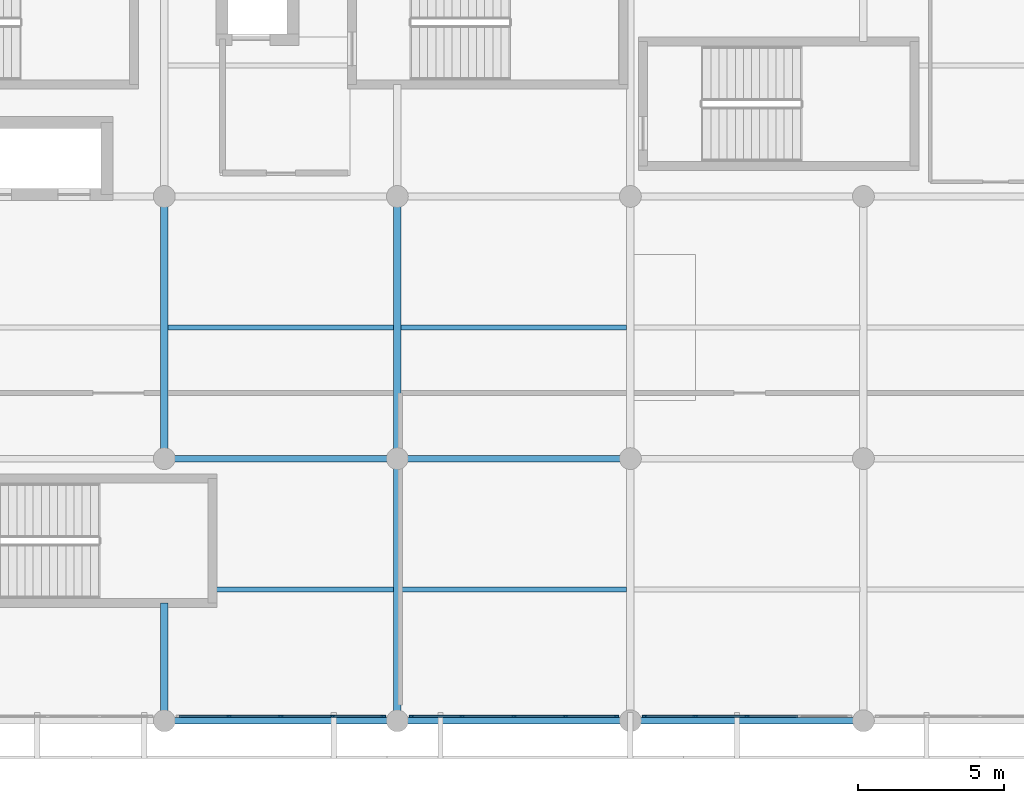
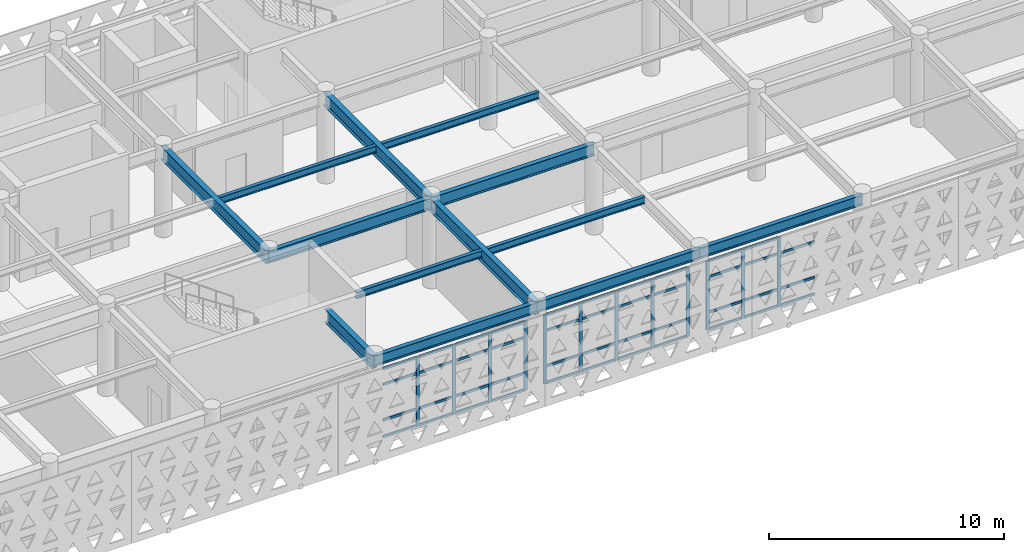
# One storey, part 7 of 33: 55 members, 13 beams, 3 elements without a shape of their own.
"""IFC4 building model written with IfcOpenShell, lengths in metres."""

from ifc_helpers import new_model, si_unit, direction, frame, origin, origin_2d, place, context, subcontext, project, spatial, rectangle, i_section, extrude, material, layer, layer_set, material_profile, profile_set, type_object, element, aggregate, save


model = new_model("IFC4")

# Units and contexts
model_context = context("Model", 3, precision=1e-05, world=origin(), true_north=direction((0.0, 1.0)))
body_context = subcontext(model_context, "Body", "Model", "MODEL_VIEW")
ifc_project = project(units=[si_unit("LENGTHUNIT", "METRE"), si_unit("AREAUNIT", "SQUARE_METRE"), si_unit("VOLUMEUNIT", "CUBIC_METRE"), si_unit("PLANEANGLEUNIT", "RADIAN"), si_unit("MASSUNIT", "GRAM", prefix="KILO")], contexts=[model_context])

# Site, building, storey
site_placement = place(None, origin())
site = spatial("IfcSite", under=ifc_project, at=site_placement, CompositionType="ELEMENT")
building_placement = place(site_placement, origin())
building = spatial("IfcBuilding", under=site, at=building_placement, Name="Tlacozan Convention Centre", CompositionType="ELEMENT")
storey_placement = place(building_placement, frame((0.0, 0.0, 16.199951171875)))
storey = spatial("IfcBuildingStorey", under=building, at=storey_placement, Name="L03", CompositionType="ELEMENT", Elevation=16.199951171875)

# Curtain wall, members
ifc_material_1 = material(Name="Dark Bronze Anodised Aluminium", Category="aluminium")
ifc_layer = layer(ifc_material_1, 0.159912109375)
ifc_layer_set = layer_set([ifc_layer], Name="Dark Bronze Anodised Aluminium")
curtain_wall_type = type_object("IfcCurtainWallType", Name="Unitised Congress L03 South CW04", PredefinedType="NOTDEFINED", material=ifc_layer_set)
curtain_wall_1_placement = place(storey_placement, origin())
curtain_wall_1 = element("IfcCurtainWall", 1, at=curtain_wall_1_placement, inside=storey, type_object=curtain_wall_type, Name="L03 CW-04 Run 104", PredefinedType="NOTDEFINED")
ifc_material_profile_1 = material_profile(ifc_material_1, rectangle(XDim=0.06494140625, YDim=0.159912109375, at=origin_2d()), Name="ALU 65x160")
ifc_profile_set_1 = profile_set([ifc_material_profile_1], Name="Dark Bronze Anodised Aluminium")
member_type_1 = type_object("IfcMemberType", Name="Curtain Wall Mullion 65x160", PredefinedType="MULLION", material=ifc_profile_set_1)
member_1_placement = place(storey_placement, frame((34.22509765625, 0.159912109375, 0.0), z_axis=(0.0, 0.0, 1.0), x_axis=(0.0, 1.0, 0.0)))
member_1 = element("IfcMember", 2, at=member_1_placement, type_object=member_type_1, Name="CW-04 mullion 2", PredefinedType="MULLION", context=body_context, shape_type="SweptSolid", body=[
    extrude(rectangle(XDim=0.06494140625, YDim=0.159912109375, at=origin_2d()), origin(), (0.0, 0.0, 1.0), 3.60009765625),
])
member_2_placement = place(storey_placement, frame((36.0, 0.159912109375, 0.0), z_axis=(0.0, 0.0, 1.0), x_axis=(0.0, 1.0, 0.0)))
member_2 = element("IfcMember", 3, at=member_2_placement, type_object=member_type_1, Name="CW-04 mullion 3", PredefinedType="MULLION", context=body_context, shape_type="SweptSolid", body=[
    extrude(rectangle(XDim=0.06494140625, YDim=0.159912109375, at=origin_2d()), origin(), (0.0, 0.0, 1.0), 3.60009765625),
])
member_3_placement = place(storey_placement, frame((37.77490234375, 0.159912109375, 0.0), z_axis=(0.0, 0.0, 1.0), x_axis=(0.0, 1.0, 0.0)))
member_3 = element("IfcMember", 4, at=member_3_placement, type_object=member_type_1, Name="CW-04 mullion 4", PredefinedType="MULLION", context=body_context, shape_type="SweptSolid", body=[
    extrude(rectangle(XDim=0.06494140625, YDim=0.159912109375, at=origin_2d()), origin(), (0.0, 0.0, 1.0), 3.60009765625),
])
member_4_placement = place(storey_placement, frame((39.517578125, 0.159912109375, 0.0), z_axis=(0.0, 0.0, 1.0), x_axis=(0.0, 1.0, 0.0)))
member_4 = element("IfcMember", 5, at=member_4_placement, type_object=member_type_1, Name="CW-04 mullion 5", PredefinedType="MULLION", context=body_context, shape_type="SweptSolid", body=[
    extrude(rectangle(XDim=0.06494140625, YDim=0.159912109375, at=origin_2d()), origin(), (0.0, 0.0, 1.0), 3.60009765625),
])

curtain_wall_2_placement = place(storey_placement, origin())
curtain_wall_2 = element("IfcCurtainWall", 6, at=curtain_wall_2_placement, inside=storey, type_object=curtain_wall_type, Name="L03 CW-04 Run 105", PredefinedType="NOTDEFINED")
member_5_placement = place(storey_placement, frame((40.482421875, 0.159912109375, 0.0), z_axis=(0.0, 0.0, 1.0), x_axis=(0.0, 1.0, 0.0)))
member_5 = element("IfcMember", 7, at=member_5_placement, type_object=member_type_1, Name="CW-04 mullion 1", PredefinedType="MULLION", context=body_context, shape_type="SweptSolid", body=[
    extrude(rectangle(XDim=0.06494140625, YDim=0.159912109375, at=origin_2d()), origin(), (0.0, 0.0, 1.0), 3.60009765625),
])
member_6_placement = place(storey_placement, frame((42.22509765625, 0.159912109375, 0.0), z_axis=(0.0, 0.0, 1.0), x_axis=(0.0, 1.0, 0.0)))
member_6 = element("IfcMember", 8, at=member_6_placement, type_object=member_type_1, Name="CW-04 mullion 2", PredefinedType="MULLION", context=body_context, shape_type="SweptSolid", body=[
    extrude(rectangle(XDim=0.06494140625, YDim=0.159912109375, at=origin_2d()), origin(), (0.0, 0.0, 1.0), 3.60009765625),
])
member_7_placement = place(storey_placement, frame((44.0, 0.159912109375, 0.0), z_axis=(0.0, 0.0, 1.0), x_axis=(0.0, 1.0, 0.0)))
member_7 = element("IfcMember", 9, at=member_7_placement, type_object=member_type_1, Name="CW-04 mullion 3", PredefinedType="MULLION", context=body_context, shape_type="SweptSolid", body=[
    extrude(rectangle(XDim=0.06494140625, YDim=0.159912109375, at=origin_2d()), origin(), (0.0, 0.0, 1.0), 3.60009765625),
])
member_8_placement = place(storey_placement, frame((45.77490234375, 0.159912109375, 0.0), z_axis=(0.0, 0.0, 1.0), x_axis=(0.0, 1.0, 0.0)))
member_8 = element("IfcMember", 10, at=member_8_placement, type_object=member_type_1, Name="CW-04 mullion 4", PredefinedType="MULLION", context=body_context, shape_type="SweptSolid", body=[
    extrude(rectangle(XDim=0.06494140625, YDim=0.159912109375, at=origin_2d()), origin(), (0.0, 0.0, 1.0), 3.60009765625),
])
member_9_placement = place(storey_placement, frame((47.517578125, 0.159912109375, 0.0), z_axis=(0.0, 0.0, 1.0), x_axis=(0.0, 1.0, 0.0)))
member_9 = element("IfcMember", 11, at=member_9_placement, type_object=member_type_1, Name="CW-04 mullion 5", PredefinedType="MULLION", context=body_context, shape_type="SweptSolid", body=[
    extrude(rectangle(XDim=0.06494140625, YDim=0.159912109375, at=origin_2d()), origin(), (0.0, 0.0, 1.0), 3.60009765625),
])

curtain_wall_3_placement = place(storey_placement, origin())
curtain_wall_3 = element("IfcCurtainWall", 12, at=curtain_wall_3_placement, inside=storey, type_object=curtain_wall_type, Name="L03 CW-04 Run 106", PredefinedType="NOTDEFINED")
member_10_placement = place(storey_placement, frame((48.482421875, 0.159912109375, 0.0), z_axis=(0.0, 0.0, 1.0), x_axis=(0.0, 1.0, 0.0)))
member_10 = element("IfcMember", 13, at=member_10_placement, type_object=member_type_1, Name="CW-04 mullion 1", PredefinedType="MULLION", context=body_context, shape_type="SweptSolid", body=[
    extrude(rectangle(XDim=0.06494140625, YDim=0.159912109375, at=origin_2d()), origin(), (0.0, 0.0, 1.0), 3.60009765625),
])
member_11_placement = place(storey_placement, frame((50.22509765625, 0.159912109375, 0.0), z_axis=(0.0, 0.0, 1.0), x_axis=(0.0, 1.0, 0.0)))
member_11 = element("IfcMember", 14, at=member_11_placement, type_object=member_type_1, Name="CW-04 mullion 2", PredefinedType="MULLION", context=body_context, shape_type="SweptSolid", body=[
    extrude(rectangle(XDim=0.06494140625, YDim=0.159912109375, at=origin_2d()), origin(), (0.0, 0.0, 1.0), 3.60009765625),
])
member_12_placement = place(storey_placement, frame((52.0, 0.159912109375, 0.0), z_axis=(0.0, 0.0, 1.0), x_axis=(0.0, 1.0, 0.0)))
member_12 = element("IfcMember", 15, at=member_12_placement, type_object=member_type_1, Name="CW-04 mullion 3", PredefinedType="MULLION", context=body_context, shape_type="SweptSolid", body=[
    extrude(rectangle(XDim=0.06494140625, YDim=0.159912109375, at=origin_2d()), origin(), (0.0, 0.0, 1.0), 3.60009765625),
])

# Member
ifc_material_profile_2 = material_profile(ifc_material_1, rectangle(XDim=0.06494140625, YDim=0.125, at=origin_2d()), Name="ALU 65x125")
ifc_profile_set_2 = profile_set([ifc_material_profile_2], Name="Dark Bronze Anodised Aluminium")
member_type_2 = type_object("IfcMemberType", Name="Curtain Wall Transom 65x125", PredefinedType="USERDEFINED", material=ifc_profile_set_2)
member_13_placement = place(storey_placement, frame((32.514892578125, 0.159912109375, 0.032470703125), z_axis=(1.0, 0.0, 0.0), x_axis=(0.0, 1.0, 0.0)))
member_13 = element("IfcMember", 16, at=member_13_placement, type_object=member_type_2, Name="CW-04 transom 1.1", ObjectType="TRANSOM", PredefinedType="USERDEFINED", context=body_context, shape_type="SweptSolid", body=[
    extrude(rectangle(XDim=0.06494140625, YDim=0.125, at=origin_2d()), origin(), (0.0, 0.0, 1.0), 1.677490234375),
])

member_14_placement = place(storey_placement, frame((32.514892578125, 0.159912109375, 0.900146484375), z_axis=(1.0, 0.0, 0.0), x_axis=(0.0, 1.0, 0.0)))
member_14 = element("IfcMember", 17, at=member_14_placement, type_object=member_type_2, Name="CW-04 transom 1.2", ObjectType="TRANSOM", PredefinedType="USERDEFINED", context=body_context, shape_type="SweptSolid", body=[
    extrude(rectangle(XDim=0.06494140625, YDim=0.125, at=origin_2d()), origin(), (0.0, 0.0, 1.0), 1.677490234375),
])

member_15_placement = place(storey_placement, frame((32.514892578125, 0.159912109375, 2.75), z_axis=(1.0, 0.0, 0.0), x_axis=(0.0, 1.0, 0.0)))
member_15 = element("IfcMember", 18, at=member_15_placement, type_object=member_type_2, Name="CW-04 transom 1.3", ObjectType="TRANSOM", PredefinedType="USERDEFINED", context=body_context, shape_type="SweptSolid", body=[
    extrude(rectangle(XDim=0.06494140625, YDim=0.125, at=origin_2d()), origin(), (0.0, 0.0, 1.0), 1.677490234375),
])

member_16_placement = place(storey_placement, frame((32.514892578125, 0.159912109375, 3.567626953125), z_axis=(1.0, 0.0, 0.0), x_axis=(0.0, 1.0, 0.0)))
member_16 = element("IfcMember", 19, at=member_16_placement, type_object=member_type_2, Name="CW-04 transom 1.4", ObjectType="TRANSOM", PredefinedType="USERDEFINED", context=body_context, shape_type="SweptSolid", body=[
    extrude(rectangle(XDim=0.06494140625, YDim=0.125, at=origin_2d()), origin(), (0.0, 0.0, 1.0), 1.677490234375),
])

member_17_placement = place(storey_placement, frame((34.257568359375, 0.159912109375, 0.032470703125), z_axis=(1.0, 0.0, 0.0), x_axis=(0.0, 1.0, 0.0)))
member_17 = element("IfcMember", 20, at=member_17_placement, type_object=member_type_2, Name="CW-04 transom 2.1", ObjectType="TRANSOM", PredefinedType="USERDEFINED", context=body_context, shape_type="SweptSolid", body=[
    extrude(rectangle(XDim=0.06494140625, YDim=0.125, at=origin_2d()), origin(), (0.0, 0.0, 1.0), 1.7099609375),
])

member_18_placement = place(storey_placement, frame((34.257568359375, 0.159912109375, 0.900146484375), z_axis=(1.0, 0.0, 0.0), x_axis=(0.0, 1.0, 0.0)))
member_18 = element("IfcMember", 21, at=member_18_placement, type_object=member_type_2, Name="CW-04 transom 2.2", ObjectType="TRANSOM", PredefinedType="USERDEFINED", context=body_context, shape_type="SweptSolid", body=[
    extrude(rectangle(XDim=0.06494140625, YDim=0.125, at=origin_2d()), origin(), (0.0, 0.0, 1.0), 1.7099609375),
])

member_19_placement = place(storey_placement, frame((34.257568359375, 0.159912109375, 2.75), z_axis=(1.0, 0.0, 0.0), x_axis=(0.0, 1.0, 0.0)))
member_19 = element("IfcMember", 22, at=member_19_placement, type_object=member_type_2, Name="CW-04 transom 2.3", ObjectType="TRANSOM", PredefinedType="USERDEFINED", context=body_context, shape_type="SweptSolid", body=[
    extrude(rectangle(XDim=0.06494140625, YDim=0.125, at=origin_2d()), origin(), (0.0, 0.0, 1.0), 1.7099609375),
])

member_20_placement = place(storey_placement, frame((34.257568359375, 0.159912109375, 3.567626953125), z_axis=(1.0, 0.0, 0.0), x_axis=(0.0, 1.0, 0.0)))
member_20 = element("IfcMember", 23, at=member_20_placement, type_object=member_type_2, Name="CW-04 transom 2.4", ObjectType="TRANSOM", PredefinedType="USERDEFINED", context=body_context, shape_type="SweptSolid", body=[
    extrude(rectangle(XDim=0.06494140625, YDim=0.125, at=origin_2d()), origin(), (0.0, 0.0, 1.0), 1.7099609375),
])

member_21_placement = place(storey_placement, frame((36.032470703125, 0.159912109375, 0.032470703125), z_axis=(1.0, 0.0, 0.0), x_axis=(0.0, 1.0, 0.0)))
member_21 = element("IfcMember", 24, at=member_21_placement, type_object=member_type_2, Name="CW-04 transom 3.1", ObjectType="TRANSOM", PredefinedType="USERDEFINED", context=body_context, shape_type="SweptSolid", body=[
    extrude(rectangle(XDim=0.06494140625, YDim=0.125, at=origin_2d()), origin(), (0.0, 0.0, 1.0), 1.7099609375),
])

member_22_placement = place(storey_placement, frame((36.032470703125, 0.159912109375, 0.900146484375), z_axis=(1.0, 0.0, 0.0), x_axis=(0.0, 1.0, 0.0)))
member_22 = element("IfcMember", 25, at=member_22_placement, type_object=member_type_2, Name="CW-04 transom 3.2", ObjectType="TRANSOM", PredefinedType="USERDEFINED", context=body_context, shape_type="SweptSolid", body=[
    extrude(rectangle(XDim=0.06494140625, YDim=0.125, at=origin_2d()), origin(), (0.0, 0.0, 1.0), 1.7099609375),
])

member_23_placement = place(storey_placement, frame((36.032470703125, 0.159912109375, 2.75), z_axis=(1.0, 0.0, 0.0), x_axis=(0.0, 1.0, 0.0)))
member_23 = element("IfcMember", 26, at=member_23_placement, type_object=member_type_2, Name="CW-04 transom 3.3", ObjectType="TRANSOM", PredefinedType="USERDEFINED", context=body_context, shape_type="SweptSolid", body=[
    extrude(rectangle(XDim=0.06494140625, YDim=0.125, at=origin_2d()), origin(), (0.0, 0.0, 1.0), 1.7099609375),
])

member_24_placement = place(storey_placement, frame((36.032470703125, 0.159912109375, 3.567626953125), z_axis=(1.0, 0.0, 0.0), x_axis=(0.0, 1.0, 0.0)))
member_24 = element("IfcMember", 27, at=member_24_placement, type_object=member_type_2, Name="CW-04 transom 3.4", ObjectType="TRANSOM", PredefinedType="USERDEFINED", context=body_context, shape_type="SweptSolid", body=[
    extrude(rectangle(XDim=0.06494140625, YDim=0.125, at=origin_2d()), origin(), (0.0, 0.0, 1.0), 1.7099609375),
])

member_25_placement = place(storey_placement, frame((37.8076171875, 0.159912109375, 0.032470703125), z_axis=(1.0, 0.0, 0.0), x_axis=(0.0, 1.0, 0.0)))
member_25 = element("IfcMember", 28, at=member_25_placement, type_object=member_type_2, Name="CW-04 transom 4.1", ObjectType="TRANSOM", PredefinedType="USERDEFINED", context=body_context, shape_type="SweptSolid", body=[
    extrude(rectangle(XDim=0.06494140625, YDim=0.125, at=origin_2d()), origin(), (0.0, 0.0, 1.0), 1.677490234375),
])

member_26_placement = place(storey_placement, frame((37.8076171875, 0.159912109375, 0.900146484375), z_axis=(1.0, 0.0, 0.0), x_axis=(0.0, 1.0, 0.0)))
member_26 = element("IfcMember", 29, at=member_26_placement, type_object=member_type_2, Name="CW-04 transom 4.2", ObjectType="TRANSOM", PredefinedType="USERDEFINED", context=body_context, shape_type="SweptSolid", body=[
    extrude(rectangle(XDim=0.06494140625, YDim=0.125, at=origin_2d()), origin(), (0.0, 0.0, 1.0), 1.677490234375),
])

member_27_placement = place(storey_placement, frame((37.8076171875, 0.159912109375, 2.75), z_axis=(1.0, 0.0, 0.0), x_axis=(0.0, 1.0, 0.0)))
member_27 = element("IfcMember", 30, at=member_27_placement, type_object=member_type_2, Name="CW-04 transom 4.3", ObjectType="TRANSOM", PredefinedType="USERDEFINED", context=body_context, shape_type="SweptSolid", body=[
    extrude(rectangle(XDim=0.06494140625, YDim=0.125, at=origin_2d()), origin(), (0.0, 0.0, 1.0), 1.677490234375),
])

member_28_placement = place(storey_placement, frame((37.8076171875, 0.159912109375, 3.567626953125), z_axis=(1.0, 0.0, 0.0), x_axis=(0.0, 1.0, 0.0)))
member_28 = element("IfcMember", 31, at=member_28_placement, type_object=member_type_2, Name="CW-04 transom 4.4", ObjectType="TRANSOM", PredefinedType="USERDEFINED", context=body_context, shape_type="SweptSolid", body=[
    extrude(rectangle(XDim=0.06494140625, YDim=0.125, at=origin_2d()), origin(), (0.0, 0.0, 1.0), 1.677490234375),
])

aggregate(curtain_wall_1, [member_1, member_2, member_3, member_4, member_13, member_14, member_15, member_16, member_17, member_18, member_19, member_20, member_21, member_22, member_23, member_24, member_25, member_26, member_27, member_28])

member_29_placement = place(storey_placement, frame((40.514892578125, 0.159912109375, 0.032470703125), z_axis=(1.0, 0.0, 0.0), x_axis=(0.0, 1.0, 0.0)))
member_29 = element("IfcMember", 32, at=member_29_placement, type_object=member_type_2, Name="CW-04 transom 1.1", ObjectType="TRANSOM", PredefinedType="USERDEFINED", context=body_context, shape_type="SweptSolid", body=[
    extrude(rectangle(XDim=0.06494140625, YDim=0.125, at=origin_2d()), origin(), (0.0, 0.0, 1.0), 1.677490234375),
])

member_30_placement = place(storey_placement, frame((40.514892578125, 0.159912109375, 0.900146484375), z_axis=(1.0, 0.0, 0.0), x_axis=(0.0, 1.0, 0.0)))
member_30 = element("IfcMember", 33, at=member_30_placement, type_object=member_type_2, Name="CW-04 transom 1.2", ObjectType="TRANSOM", PredefinedType="USERDEFINED", context=body_context, shape_type="SweptSolid", body=[
    extrude(rectangle(XDim=0.06494140625, YDim=0.125, at=origin_2d()), origin(), (0.0, 0.0, 1.0), 1.677490234375),
])

member_31_placement = place(storey_placement, frame((40.514892578125, 0.159912109375, 2.75), z_axis=(1.0, 0.0, 0.0), x_axis=(0.0, 1.0, 0.0)))
member_31 = element("IfcMember", 34, at=member_31_placement, type_object=member_type_2, Name="CW-04 transom 1.3", ObjectType="TRANSOM", PredefinedType="USERDEFINED", context=body_context, shape_type="SweptSolid", body=[
    extrude(rectangle(XDim=0.06494140625, YDim=0.125, at=origin_2d()), origin(), (0.0, 0.0, 1.0), 1.677490234375),
])

member_32_placement = place(storey_placement, frame((40.514892578125, 0.159912109375, 3.567626953125), z_axis=(1.0, 0.0, 0.0), x_axis=(0.0, 1.0, 0.0)))
member_32 = element("IfcMember", 35, at=member_32_placement, type_object=member_type_2, Name="CW-04 transom 1.4", ObjectType="TRANSOM", PredefinedType="USERDEFINED", context=body_context, shape_type="SweptSolid", body=[
    extrude(rectangle(XDim=0.06494140625, YDim=0.125, at=origin_2d()), origin(), (0.0, 0.0, 1.0), 1.677490234375),
])

member_33_placement = place(storey_placement, frame((42.257568359375, 0.159912109375, 0.032470703125), z_axis=(1.0, 0.0, 0.0), x_axis=(0.0, 1.0, 0.0)))
member_33 = element("IfcMember", 36, at=member_33_placement, type_object=member_type_2, Name="CW-04 transom 2.1", ObjectType="TRANSOM", PredefinedType="USERDEFINED", context=body_context, shape_type="SweptSolid", body=[
    extrude(rectangle(XDim=0.06494140625, YDim=0.125, at=origin_2d()), origin(), (0.0, 0.0, 1.0), 1.7099609375),
])

member_34_placement = place(storey_placement, frame((42.257568359375, 0.159912109375, 0.900146484375), z_axis=(1.0, 0.0, 0.0), x_axis=(0.0, 1.0, 0.0)))
member_34 = element("IfcMember", 37, at=member_34_placement, type_object=member_type_2, Name="CW-04 transom 2.2", ObjectType="TRANSOM", PredefinedType="USERDEFINED", context=body_context, shape_type="SweptSolid", body=[
    extrude(rectangle(XDim=0.06494140625, YDim=0.125, at=origin_2d()), origin(), (0.0, 0.0, 1.0), 1.7099609375),
])

member_35_placement = place(storey_placement, frame((42.257568359375, 0.159912109375, 2.75), z_axis=(1.0, 0.0, 0.0), x_axis=(0.0, 1.0, 0.0)))
member_35 = element("IfcMember", 38, at=member_35_placement, type_object=member_type_2, Name="CW-04 transom 2.3", ObjectType="TRANSOM", PredefinedType="USERDEFINED", context=body_context, shape_type="SweptSolid", body=[
    extrude(rectangle(XDim=0.06494140625, YDim=0.125, at=origin_2d()), origin(), (0.0, 0.0, 1.0), 1.7099609375),
])

member_36_placement = place(storey_placement, frame((42.257568359375, 0.159912109375, 3.567626953125), z_axis=(1.0, 0.0, 0.0), x_axis=(0.0, 1.0, 0.0)))
member_36 = element("IfcMember", 39, at=member_36_placement, type_object=member_type_2, Name="CW-04 transom 2.4", ObjectType="TRANSOM", PredefinedType="USERDEFINED", context=body_context, shape_type="SweptSolid", body=[
    extrude(rectangle(XDim=0.06494140625, YDim=0.125, at=origin_2d()), origin(), (0.0, 0.0, 1.0), 1.7099609375),
])

member_37_placement = place(storey_placement, frame((44.032470703125, 0.159912109375, 0.032470703125), z_axis=(1.0, 0.0, 0.0), x_axis=(0.0, 1.0, 0.0)))
member_37 = element("IfcMember", 40, at=member_37_placement, type_object=member_type_2, Name="CW-04 transom 3.1", ObjectType="TRANSOM", PredefinedType="USERDEFINED", context=body_context, shape_type="SweptSolid", body=[
    extrude(rectangle(XDim=0.06494140625, YDim=0.125, at=origin_2d()), origin(), (0.0, 0.0, 1.0), 1.7099609375),
])

member_38_placement = place(storey_placement, frame((44.032470703125, 0.159912109375, 0.900146484375), z_axis=(1.0, 0.0, 0.0), x_axis=(0.0, 1.0, 0.0)))
member_38 = element("IfcMember", 41, at=member_38_placement, type_object=member_type_2, Name="CW-04 transom 3.2", ObjectType="TRANSOM", PredefinedType="USERDEFINED", context=body_context, shape_type="SweptSolid", body=[
    extrude(rectangle(XDim=0.06494140625, YDim=0.125, at=origin_2d()), origin(), (0.0, 0.0, 1.0), 1.7099609375),
])

member_39_placement = place(storey_placement, frame((44.032470703125, 0.159912109375, 2.75), z_axis=(1.0, 0.0, 0.0), x_axis=(0.0, 1.0, 0.0)))
member_39 = element("IfcMember", 42, at=member_39_placement, type_object=member_type_2, Name="CW-04 transom 3.3", ObjectType="TRANSOM", PredefinedType="USERDEFINED", context=body_context, shape_type="SweptSolid", body=[
    extrude(rectangle(XDim=0.06494140625, YDim=0.125, at=origin_2d()), origin(), (0.0, 0.0, 1.0), 1.7099609375),
])

member_40_placement = place(storey_placement, frame((44.032470703125, 0.159912109375, 3.567626953125), z_axis=(1.0, 0.0, 0.0), x_axis=(0.0, 1.0, 0.0)))
member_40 = element("IfcMember", 43, at=member_40_placement, type_object=member_type_2, Name="CW-04 transom 3.4", ObjectType="TRANSOM", PredefinedType="USERDEFINED", context=body_context, shape_type="SweptSolid", body=[
    extrude(rectangle(XDim=0.06494140625, YDim=0.125, at=origin_2d()), origin(), (0.0, 0.0, 1.0), 1.7099609375),
])

member_41_placement = place(storey_placement, frame((45.8076171875, 0.159912109375, 0.032470703125), z_axis=(1.0, 0.0, 0.0), x_axis=(0.0, 1.0, 0.0)))
member_41 = element("IfcMember", 44, at=member_41_placement, type_object=member_type_2, Name="CW-04 transom 4.1", ObjectType="TRANSOM", PredefinedType="USERDEFINED", context=body_context, shape_type="SweptSolid", body=[
    extrude(rectangle(XDim=0.06494140625, YDim=0.125, at=origin_2d()), origin(), (0.0, 0.0, 1.0), 1.677490234375),
])

member_42_placement = place(storey_placement, frame((45.8076171875, 0.159912109375, 0.900146484375), z_axis=(1.0, 0.0, 0.0), x_axis=(0.0, 1.0, 0.0)))
member_42 = element("IfcMember", 45, at=member_42_placement, type_object=member_type_2, Name="CW-04 transom 4.2", ObjectType="TRANSOM", PredefinedType="USERDEFINED", context=body_context, shape_type="SweptSolid", body=[
    extrude(rectangle(XDim=0.06494140625, YDim=0.125, at=origin_2d()), origin(), (0.0, 0.0, 1.0), 1.677490234375),
])

member_43_placement = place(storey_placement, frame((45.8076171875, 0.159912109375, 2.75), z_axis=(1.0, 0.0, 0.0), x_axis=(0.0, 1.0, 0.0)))
member_43 = element("IfcMember", 46, at=member_43_placement, type_object=member_type_2, Name="CW-04 transom 4.3", ObjectType="TRANSOM", PredefinedType="USERDEFINED", context=body_context, shape_type="SweptSolid", body=[
    extrude(rectangle(XDim=0.06494140625, YDim=0.125, at=origin_2d()), origin(), (0.0, 0.0, 1.0), 1.677490234375),
])

member_44_placement = place(storey_placement, frame((45.8076171875, 0.159912109375, 3.567626953125), z_axis=(1.0, 0.0, 0.0), x_axis=(0.0, 1.0, 0.0)))
member_44 = element("IfcMember", 47, at=member_44_placement, type_object=member_type_2, Name="CW-04 transom 4.4", ObjectType="TRANSOM", PredefinedType="USERDEFINED", context=body_context, shape_type="SweptSolid", body=[
    extrude(rectangle(XDim=0.06494140625, YDim=0.125, at=origin_2d()), origin(), (0.0, 0.0, 1.0), 1.677490234375),
])

aggregate(curtain_wall_2, [member_5, member_6, member_7, member_8, member_9, member_29, member_30, member_31, member_32, member_33, member_34, member_35, member_36, member_37, member_38, member_39, member_40, member_41, member_42, member_43, member_44])

member_45_placement = place(storey_placement, frame((48.514892578125, 0.159912109375, 0.032470703125), z_axis=(1.0, 0.0, 0.0), x_axis=(0.0, 1.0, 0.0)))
member_45 = element("IfcMember", 48, at=member_45_placement, type_object=member_type_2, Name="CW-04 transom 1.1", ObjectType="TRANSOM", PredefinedType="USERDEFINED", context=body_context, shape_type="SweptSolid", body=[
    extrude(rectangle(XDim=0.06494140625, YDim=0.125, at=origin_2d()), origin(), (0.0, 0.0, 1.0), 1.677490234375),
])

member_46_placement = place(storey_placement, frame((48.514892578125, 0.159912109375, 0.900146484375), z_axis=(1.0, 0.0, 0.0), x_axis=(0.0, 1.0, 0.0)))
member_46 = element("IfcMember", 49, at=member_46_placement, type_object=member_type_2, Name="CW-04 transom 1.2", ObjectType="TRANSOM", PredefinedType="USERDEFINED", context=body_context, shape_type="SweptSolid", body=[
    extrude(rectangle(XDim=0.06494140625, YDim=0.125, at=origin_2d()), origin(), (0.0, 0.0, 1.0), 1.677490234375),
])

member_47_placement = place(storey_placement, frame((48.514892578125, 0.159912109375, 2.75), z_axis=(1.0, 0.0, 0.0), x_axis=(0.0, 1.0, 0.0)))
member_47 = element("IfcMember", 50, at=member_47_placement, type_object=member_type_2, Name="CW-04 transom 1.3", ObjectType="TRANSOM", PredefinedType="USERDEFINED", context=body_context, shape_type="SweptSolid", body=[
    extrude(rectangle(XDim=0.06494140625, YDim=0.125, at=origin_2d()), origin(), (0.0, 0.0, 1.0), 1.677490234375),
])

member_48_placement = place(storey_placement, frame((48.514892578125, 0.159912109375, 3.567626953125), z_axis=(1.0, 0.0, 0.0), x_axis=(0.0, 1.0, 0.0)))
member_48 = element("IfcMember", 51, at=member_48_placement, type_object=member_type_2, Name="CW-04 transom 1.4", ObjectType="TRANSOM", PredefinedType="USERDEFINED", context=body_context, shape_type="SweptSolid", body=[
    extrude(rectangle(XDim=0.06494140625, YDim=0.125, at=origin_2d()), origin(), (0.0, 0.0, 1.0), 1.677490234375),
])

member_49_placement = place(storey_placement, frame((50.257568359375, 0.159912109375, 0.032470703125), z_axis=(1.0, 0.0, 0.0), x_axis=(0.0, 1.0, 0.0)))
member_49 = element("IfcMember", 52, at=member_49_placement, type_object=member_type_2, Name="CW-04 transom 2.1", ObjectType="TRANSOM", PredefinedType="USERDEFINED", context=body_context, shape_type="SweptSolid", body=[
    extrude(rectangle(XDim=0.06494140625, YDim=0.125, at=origin_2d()), origin(), (0.0, 0.0, 1.0), 1.7099609375),
])

member_50_placement = place(storey_placement, frame((50.257568359375, 0.159912109375, 0.900146484375), z_axis=(1.0, 0.0, 0.0), x_axis=(0.0, 1.0, 0.0)))
member_50 = element("IfcMember", 53, at=member_50_placement, type_object=member_type_2, Name="CW-04 transom 2.2", ObjectType="TRANSOM", PredefinedType="USERDEFINED", context=body_context, shape_type="SweptSolid", body=[
    extrude(rectangle(XDim=0.06494140625, YDim=0.125, at=origin_2d()), origin(), (0.0, 0.0, 1.0), 1.7099609375),
])

member_51_placement = place(storey_placement, frame((50.257568359375, 0.159912109375, 2.75), z_axis=(1.0, 0.0, 0.0), x_axis=(0.0, 1.0, 0.0)))
member_51 = element("IfcMember", 54, at=member_51_placement, type_object=member_type_2, Name="CW-04 transom 2.3", ObjectType="TRANSOM", PredefinedType="USERDEFINED", context=body_context, shape_type="SweptSolid", body=[
    extrude(rectangle(XDim=0.06494140625, YDim=0.125, at=origin_2d()), origin(), (0.0, 0.0, 1.0), 1.7099609375),
])

member_52_placement = place(storey_placement, frame((50.257568359375, 0.159912109375, 3.567626953125), z_axis=(1.0, 0.0, 0.0), x_axis=(0.0, 1.0, 0.0)))
member_52 = element("IfcMember", 55, at=member_52_placement, type_object=member_type_2, Name="CW-04 transom 2.4", ObjectType="TRANSOM", PredefinedType="USERDEFINED", context=body_context, shape_type="SweptSolid", body=[
    extrude(rectangle(XDim=0.06494140625, YDim=0.125, at=origin_2d()), origin(), (0.0, 0.0, 1.0), 1.7099609375),
])

member_53_placement = place(storey_placement, frame((52.032470703125, 0.159912109375, 0.032470703125), z_axis=(1.0, 0.0, 0.0), x_axis=(0.0, 1.0, 0.0)))
member_53 = element("IfcMember", 56, at=member_53_placement, type_object=member_type_2, Name="CW-04 transom 3.1", ObjectType="TRANSOM", PredefinedType="USERDEFINED", context=body_context, shape_type="SweptSolid", body=[
    extrude(rectangle(XDim=0.06494140625, YDim=0.125, at=origin_2d()), origin(), (0.0, 0.0, 1.0), 1.7099609375),
])

member_54_placement = place(storey_placement, frame((52.032470703125, 0.159912109375, 0.900146484375), z_axis=(1.0, 0.0, 0.0), x_axis=(0.0, 1.0, 0.0)))
member_54 = element("IfcMember", 57, at=member_54_placement, type_object=member_type_2, Name="CW-04 transom 3.2", ObjectType="TRANSOM", PredefinedType="USERDEFINED", context=body_context, shape_type="SweptSolid", body=[
    extrude(rectangle(XDim=0.06494140625, YDim=0.125, at=origin_2d()), origin(), (0.0, 0.0, 1.0), 1.7099609375),
])

member_55_placement = place(storey_placement, frame((52.032470703125, 0.159912109375, 2.75), z_axis=(1.0, 0.0, 0.0), x_axis=(0.0, 1.0, 0.0)))
member_55 = element("IfcMember", 58, at=member_55_placement, type_object=member_type_2, Name="CW-04 transom 3.3", ObjectType="TRANSOM", PredefinedType="USERDEFINED", context=body_context, shape_type="SweptSolid", body=[
    extrude(rectangle(XDim=0.06494140625, YDim=0.125, at=origin_2d()), origin(), (0.0, 0.0, 1.0), 1.7099609375),
])

aggregate(curtain_wall_3, [member_10, member_11, member_12, member_45, member_46, member_47, member_48, member_49, member_50, member_51, member_52, member_53, member_54, member_55])

# Beams
ifc_material_2 = material(Name="Steel ASTM A992 Grade 50", Category="steel")
ifc_material_profile_3 = material_profile(ifc_material_2, i_section(OverallWidth=0.22900390625, OverallDepth=0.612060546875, WebThickness=0.011962890625, FlangeThickness=0.01953125, FilletRadius=0.012939453125, at=origin_2d()), Name="IR 610x125.0")
ifc_profile_set_3 = profile_set([ifc_material_profile_3], Name="Steel ASTM A992 Grade 50")
beam_type_1 = type_object("IfcBeamType", Name="Floor Beam IR 610x125", PredefinedType="BEAM", material=ifc_profile_set_3)
for number, where, z_axis, x_axis, name in (
    (59, (32.0, 9.0, 4.254150390625), (1.0, 0.0, 0.0), (0.0, 1.0, 0.0), "L03 Floor Beam IR 610x125 589"),
    (60, (40.0, 9.0, 4.254150390625), (1.0, 0.0, 0.0), (0.0, 1.0, 0.0), "L03 Floor Beam IR 610x125 593"),
):
    element("IfcBeam", number, at=place(storey_placement, frame(where, z_axis=z_axis, x_axis=x_axis)), inside=storey, type_object=beam_type_1, Name=name, PredefinedType="BEAM", context=body_context, shape_type="SweptSolid", body=[
        extrude(i_section(OverallWidth=0.22900390625, OverallDepth=0.612060546875, WebThickness=0.011962890625, FlangeThickness=0.01953125, FilletRadius=0.012939453125, at=origin_2d()), origin(), (0.0, 0.0, 1.0), 8.0),
    ])
ifc_material_profile_4 = material_profile(ifc_material_2, i_section(OverallWidth=0.256103515625, OverallDepth=0.693115234375, WebThickness=0.014404296875, FlangeThickness=0.023681640625, FilletRadius=0.014892578125, at=origin_2d()), Name="IR 686x170.0")
ifc_profile_set_4 = profile_set([ifc_material_profile_4], Name="Steel ASTM A992 Grade 50")
beam_type_2 = type_object("IfcBeamType", Name="Girder Steel IR 686x170", PredefinedType="BEAM", material=ifc_profile_set_4)
beam_1_placement = place(storey_placement, frame((32.0, 0.0, 4.213623046875), z_axis=(0.0, 1.0, 0.0), x_axis=(-1.0, 0.0, 0.0)))
element("IfcBeam", 61, at=beam_1_placement, inside=storey, type_object=beam_type_2, Name="L03 Girder Steel IR 686x170 546", PredefinedType="BEAM", context=body_context, shape_type="SweptSolid", body=[
    extrude(i_section(OverallWidth=0.256103515625, OverallDepth=0.693115234375, WebThickness=0.014404296875, FlangeThickness=0.023681640625, FilletRadius=0.014892578125, at=origin_2d()), origin(), (0.0, 0.0, 1.0), 4.0400390625),
])
for number, where, z_axis, x_axis, name in (
    (62, (32.0, 9.0, 4.213623046875), (0.0, 1.0, 0.0), (-1.0, 0.0, 0.0), "L03 Girder Steel IR 686x170 547"),
    (63, (40.0, 0.0, 4.213623046875), (0.0, 1.0, 0.0), (-1.0, 0.0, 0.0), "L03 Girder Steel IR 686x170 549"),
    (64, (40.0, 9.0, 4.213623046875), (0.0, 1.0, 0.0), (-1.0, 0.0, 0.0), "L03 Girder Steel IR 686x170 550"),
):
    element("IfcBeam", number, at=place(storey_placement, frame(where, z_axis=z_axis, x_axis=x_axis)), inside=storey, type_object=beam_type_2, Name=name, PredefinedType="BEAM", context=body_context, shape_type="SweptSolid", body=[
        extrude(i_section(OverallWidth=0.256103515625, OverallDepth=0.693115234375, WebThickness=0.014404296875, FlangeThickness=0.023681640625, FilletRadius=0.014892578125, at=origin_2d()), origin(), (0.0, 0.0, 1.0), 9.0),
    ])
ifc_material_profile_5 = material_profile(ifc_material_2, i_section(OverallWidth=0.2109375, OverallDepth=0.5390625, WebThickness=0.01171875, FlangeThickness=0.018798828125, FilletRadius=0.012939453125, at=origin_2d()), Name="IR 533x109.0")
ifc_profile_set_5 = profile_set([ifc_material_profile_5], Name="Steel ASTM A992 Grade 50")
beam_type_3 = type_object("IfcBeamType", Name="Perimeter Spandrel IR 533x109", PredefinedType="SPANDREL", material=ifc_profile_set_5)
for number, where, z_axis, x_axis, name in (
    (65, (32.0, 0.0, 4.29052734375), (1.0, 0.0, 0.0), (0.0, 1.0, 0.0), "L03 Perimeter Spandrel IR 533x109 588"),
    (66, (40.0, 0.0, 4.29052734375), (1.0, 0.0, 0.0), (0.0, 1.0, 0.0), "L03 Perimeter Spandrel IR 533x109 592"),
    (67, (48.0, 0.0, 4.29052734375), (1.0, 0.0, 0.0), (0.0, 1.0, 0.0), "L03 Perimeter Spandrel IR 533x109 596"),
):
    element("IfcBeam", number, at=place(storey_placement, frame(where, z_axis=z_axis, x_axis=x_axis)), inside=storey, type_object=beam_type_3, Name=name, PredefinedType="SPANDREL", context=body_context, shape_type="SweptSolid", body=[
        extrude(i_section(OverallWidth=0.2109375, OverallDepth=0.5390625, WebThickness=0.01171875, FlangeThickness=0.018798828125, FilletRadius=0.012939453125, at=origin_2d()), origin(), (0.0, 0.0, 1.0), 8.0),
    ])
ifc_material_profile_6 = material_profile(ifc_material_2, i_section(OverallWidth=0.173095703125, OverallDepth=0.364013671875, WebThickness=0.009033203125, FlangeThickness=0.015625, FilletRadius=0.010009765625, at=origin_2d()), Name="IR 356x67.1")
ifc_profile_set_6 = profile_set([ifc_material_profile_6], Name="Steel ASTM A992 Grade 50")
beam_type_4 = type_object("IfcBeamType", Name="Secondary Joist IR 356x67.1", PredefinedType="JOIST", material=ifc_profile_set_6)
beam_2_placement = place(storey_placement, frame((33.659912109375, 4.5, 4.3779296875), z_axis=(1.0, 0.0, 0.0), x_axis=(0.0, 1.0, 0.0)))
element("IfcBeam", 68, at=beam_2_placement, inside=storey, type_object=beam_type_4, Name="L03 Secondary Joist IR 356x67.1 629", PredefinedType="JOIST", context=body_context, shape_type="SweptSolid", body=[
    extrude(i_section(OverallWidth=0.173095703125, OverallDepth=0.364013671875, WebThickness=0.009033203125, FlangeThickness=0.015625, FilletRadius=0.010009765625, at=origin_2d()), origin(), (0.0, 0.0, 1.0), 6.214111328125),
])
for number, where, z_axis, x_axis, name in (
    (69, (32.1259765625, 13.5, 4.3779296875), (1.0, 0.0, 0.0), (0.0, 1.0, 0.0), "L03 Secondary Joist IR 356x67.1 630"),
    (70, (40.1259765625, 4.5, 4.3779296875), (1.0, 0.0, 0.0), (0.0, 1.0, 0.0), "L03 Secondary Joist IR 356x67.1 632"),
    (71, (40.1259765625, 13.5, 4.3779296875), (1.0, 0.0, 0.0), (0.0, 1.0, 0.0), "L03 Secondary Joist IR 356x67.1 633"),
):
    element("IfcBeam", number, at=place(storey_placement, frame(where, z_axis=z_axis, x_axis=x_axis)), inside=storey, type_object=beam_type_4, Name=name, PredefinedType="JOIST", context=body_context, shape_type="SweptSolid", body=[
        extrude(i_section(OverallWidth=0.173095703125, OverallDepth=0.364013671875, WebThickness=0.009033203125, FlangeThickness=0.015625, FilletRadius=0.010009765625, at=origin_2d()), origin(), (0.0, 0.0, 1.0), 7.748046875),
    ])

save(model, "model.ifc")
